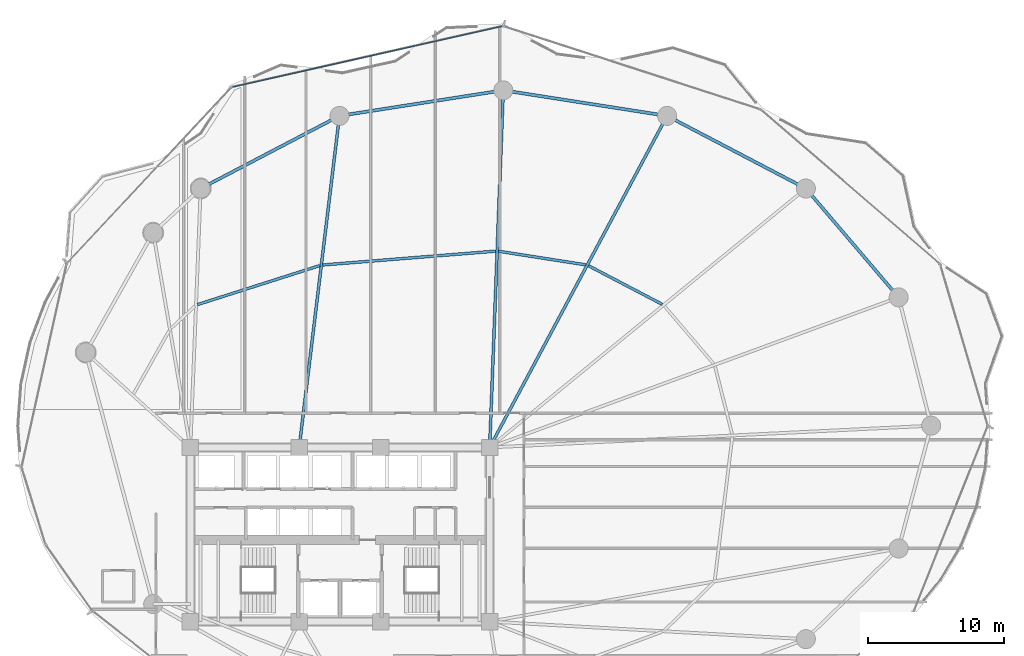
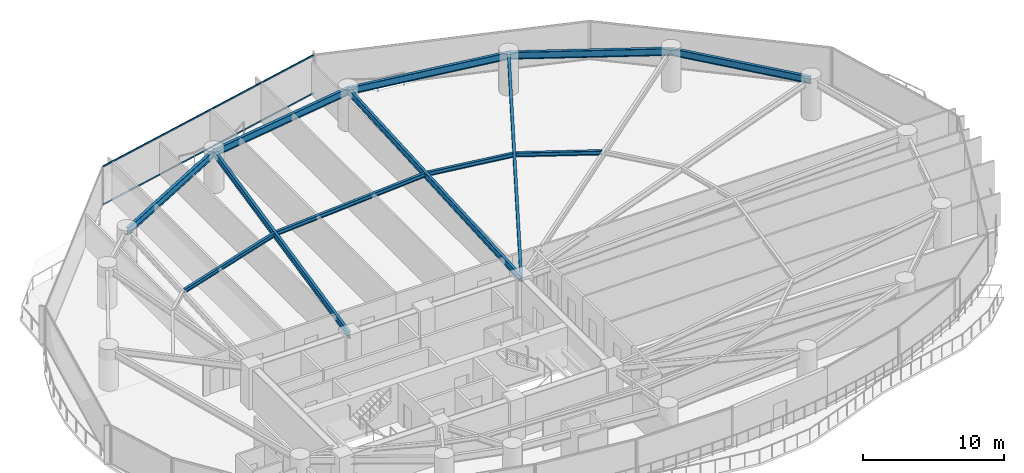
# One storey, part 18 of 33: 12 beams, 2 members, 1 element without a shape of its own.
"""IFC4 building model written with IfcOpenShell, lengths in metres."""

import ifcopenshell
import ifcopenshell.guid

model = None  # the IFC model being written
_history = None  # IfcOwnerHistory: only IFC2X3 demands one
_inside = {}  # id of a spatial element -> (the spatial element, [elements in it])
_under = {}  # id of a project, library or spatial element -> (it, [spatial elements below it])
_declared = {}  # id of a project -> (the project, [libraries it declares])
_typed = {}  # id of a type object -> (the type object, [elements of that type])
_made_of = {}  # id of a material, layer set ... -> (it, [elements and type objects made of it])


def new_model(schema):
    """Start an empty IFC model of exactly this schema.

    Asked for "IFC4X3", IfcOpenShell would pick the latest addendum, in which some entities
    have other attributes; the version numbers below select the first issue.
    IFC2X3 requires an IfcOwnerHistory on every rooted entity: one is made here for all.
    """
    global model, _history
    if schema == "IFC4X3":
        model = ifcopenshell.file(schema_version=(4, 3, 0, 0))
    else:
        model = ifcopenshell.file(schema=schema)
    _inside.clear()
    _under.clear()
    _declared.clear()
    _typed.clear()
    _made_of.clear()
    _history = None
    if model.schema == "IFC2X3":
        org = make("IfcOrganization", Name="unknown")
        user = make(
            "IfcPersonAndOrganization",
            ThePerson=make("IfcPerson", FamilyName="unknown"),
            TheOrganization=org,
        )
        app = make(
            "IfcApplication",
            ApplicationDeveloper=org,
            Version="unknown",
            ApplicationFullName="unknown",
            ApplicationIdentifier="unknown",
        )
        _history = make(
            "IfcOwnerHistory",
            OwningUser=user,
            OwningApplication=app,
            ChangeAction="ADDED",
            CreationDate=0,
        )
    return model


def make(cls, **values):
    """One entity of the class cls with the attributes given. An attribute that is None is left unset."""
    return model.create_entity(
        cls, **{name: value for name, value in values.items() if value is not None}
    )


def rooted(cls, **values):
    """An entity with a GlobalId (a new one), such as an element, a storey or a relation."""
    return make(cls, GlobalId=ifcopenshell.guid.new(), OwnerHistory=_history, **values)


def si_unit(unit_type, name, prefix=None):
    """IfcSIUnit, for example si_unit("LENGTHUNIT", "METRE", prefix="MILLI")."""
    return make("IfcSIUnit", UnitType=unit_type, Prefix=prefix, Name=name)


def assignment(units):
    """IfcUnitAssignment: the units of a project."""
    return None if units is None else make("IfcUnitAssignment", Units=units)


def point(xyz):
    """IfcCartesianPoint."""
    return None if xyz is None else make("IfcCartesianPoint", Coordinates=xyz)


def direction(xyz):
    """IfcDirection."""
    return None if xyz is None else make("IfcDirection", DirectionRatios=xyz)


def frame(location, z_axis=None, x_axis=None):
    """IfcAxis2Placement3D, a coordinate frame: its origin and axes. An axis left out is left unset."""
    return make(
        "IfcAxis2Placement3D",
        Location=point(location),
        Axis=direction(z_axis),
        RefDirection=direction(x_axis),
    )


def frame_2d(location, x_axis=None):
    """IfcAxis2Placement2D, a coordinate frame in the plane: its origin and x axis."""
    return make(
        "IfcAxis2Placement2D", Location=point(location), RefDirection=direction(x_axis)
    )


def origin():
    """The frame at (0, 0, 0) with its axes left unset."""
    return frame((0.0, 0.0, 0.0))


def origin_2d():
    """The frame at (0, 0) in the plane with its x axis left unset."""
    return frame_2d((0.0, 0.0))


def place(relative_to, where):
    """IfcLocalPlacement: puts the frame where relative to a parent placement (None: the world)."""
    return make(
        "IfcLocalPlacement", PlacementRelTo=relative_to, RelativePlacement=where
    )


def context(
    kind, dimensions, precision=None, world=None, true_north=None, identifier=None
):
    """IfcGeometricRepresentationContext, for example the 3D "Model" context."""
    return make(
        "IfcGeometricRepresentationContext",
        ContextIdentifier=identifier,
        ContextType=kind,
        CoordinateSpaceDimension=dimensions,
        Precision=precision,
        WorldCoordinateSystem=world,
        TrueNorth=true_north,
    )


def subcontext(parent, identifier, kind, view, scale=None):
    """IfcGeometricRepresentationSubContext, for example "Body" below "Model"."""
    return make(
        "IfcGeometricRepresentationSubContext",
        ContextIdentifier=identifier,
        ContextType=kind,
        ParentContext=parent,
        TargetScale=scale,
        TargetView=view,
    )


def project(units=None, contexts=None):
    """IfcProject with its units and contexts."""
    return rooted(
        "IfcProject",
        Name="project",
        RepresentationContexts=contexts,
        UnitsInContext=assignment(units),
    )


def spatial(cls, under=None, at=None, **own):
    """A site, building, storey or space (cls), placed at a placement, below another one or the project."""
    s = rooted(cls, ObjectPlacement=at, **own)
    if under is not None:
        _under.setdefault(under.id(), (under, []))[1].append(s)
    return s


def profile(cls, at=None, kind="AREA", **sizes):
    """A parametric profile (cls). Its sizes go by their IFC names, for example OverallWidth=200.0."""
    return make(cls, ProfileType=kind, Position=at, **sizes)


def hollow_rectangle(**sizes):
    """IfcRectangleHollowProfileDef."""
    return profile("IfcRectangleHollowProfileDef", **sizes)


def i_section(**sizes):
    """IfcIShapeProfileDef."""
    return profile("IfcIShapeProfileDef", **sizes)


def extrude(swept, where, along, depth):
    """IfcExtrudedAreaSolid: the profile swept, set in the frame where, extruded along a direction by depth."""
    return make(
        "IfcExtrudedAreaSolid",
        SweptArea=swept,
        Position=where,
        ExtrudedDirection=direction(along),
        Depth=depth,
    )


def shape(context_of_items, identifier, shape_type, items):
    """IfcShapeRepresentation: the items that make up one representation, for example the "Body"."""
    return make(
        "IfcShapeRepresentation",
        ContextOfItems=context_of_items,
        RepresentationIdentifier=identifier,
        RepresentationType=shape_type,
        Items=items,
    )


def material(Name=None, Category=None):
    """IfcMaterial."""
    return make("IfcMaterial", Name=Name, Category=Category)


def layer(
    of_material, thickness, ventilated=None, Name=None, Category=None, Priority=None
):
    """IfcMaterialLayer: one layer of a wall or slab, of a material (None: an air gap)."""
    return make(
        "IfcMaterialLayer",
        Material=of_material,
        LayerThickness=thickness,
        IsVentilated=ventilated,
        Name=Name,
        Category=Category,
        Priority=Priority,
    )


def layer_set(layers, Name=None):
    """IfcMaterialLayerSet."""
    return make("IfcMaterialLayerSet", MaterialLayers=layers, LayerSetName=Name)


def material_profile(
    of_material, cross_section, Name=None, Category=None, Priority=None
):
    """IfcMaterialProfile: a cross section and its material."""
    return make(
        "IfcMaterialProfile",
        Name=Name,
        Material=of_material,
        Profile=cross_section,
        Priority=Priority,
        Category=Category,
    )


def profile_set(profiles, Name=None, composite=None):
    """IfcMaterialProfileSet."""
    return make(
        "IfcMaterialProfileSet",
        Name=Name,
        MaterialProfiles=profiles,
        CompositeProfile=composite,
    )


def made_of(thing, what):
    """Note that an element or type object is made of a material, layer set ...; save() writes the relation."""
    if what is not None:
        _made_of.setdefault(what.id(), (what, []))[1].append(thing)
    return thing


def type_object(cls, material=None, **own):
    """A type object (cls), such as IfcWallType, which elements share."""
    return made_of(rooted(cls, **own), material)


def element(
    cls,
    number,
    at=None,
    inside=None,
    cuts=None,
    type_object=None,
    material=None,
    context=None,
    identifier="Body",
    shape_type=None,
    held_by="IfcProductDefinitionShape",
    body=None,
    shapes=None,
    **own,
):
    """One element of the class cls, such as IfcWall. Its Tag is "e" and its number.

    at: its placement. inside: the storey or other place that contains it. cuts: it is an
    opening in that element (IfcRelVoidsElement). A single representation is given by context,
    identifier, shape_type and body (its items); several are given by shapes. held_by: the class
    of the entity that holds the representations. save() writes the other relations.
    """
    e = rooted(cls, Tag="e%d" % number, ObjectPlacement=at, **own)
    if body is not None:
        shapes = [shape(context, identifier, shape_type, body)]
    if shapes is not None:
        e.Representation = make(held_by, Representations=shapes)
    if inside is not None:
        _inside.setdefault(inside.id(), (inside, []))[1].append(e)
    if cuts is not None:
        rooted(
            "IfcRelVoidsElement", RelatingBuildingElement=cuts, RelatedOpeningElement=e
        )
    if type_object is not None:
        _typed.setdefault(type_object.id(), (type_object, []))[1].append(e)
    return made_of(e, material)


def aggregate(whole, parts):
    """IfcRelAggregates: a whole, such as a stair, and the parts it consists of."""
    return rooted("IfcRelAggregates", RelatingObject=whole, RelatedObjects=parts)


def save(model, path):
    """Write the relations noted so far, then the file.

    IfcRelAggregates (storeys below a building ...), IfcRelContainedInSpatialStructure (elements
    in a storey), IfcRelDefinesByType, IfcRelAssociatesMaterial and IfcRelDeclares: one each for
    every whole, place, type object, material and project.
    """
    for whole, parts in _under.values():
        aggregate(whole, parts)
    for where, things in _inside.values():
        rooted(
            "IfcRelContainedInSpatialStructure",
            RelatedElements=things,
            RelatingStructure=where,
        )
    for kind, things in _typed.values():
        rooted("IfcRelDefinesByType", RelatedObjects=things, RelatingType=kind)
    for what, things in _made_of.values():
        rooted("IfcRelAssociatesMaterial", RelatedObjects=things, RelatingMaterial=what)
    for by, libraries in _declared.values():
        rooted("IfcRelDeclares", RelatingContext=by, RelatedDefinitions=libraries)
    model.write(path)


model = new_model("IFC4")

# Units and contexts
model_context = context("Model", 3, precision=1e-05, world=origin(), true_north=direction((0.0, 1.0)))
body_context = subcontext(model_context, "Body", "Model", "MODEL_VIEW")
ifc_project = project(units=[si_unit("LENGTHUNIT", "METRE"), si_unit("AREAUNIT", "SQUARE_METRE"), si_unit("VOLUMEUNIT", "CUBIC_METRE"), si_unit("PLANEANGLEUNIT", "RADIAN"), si_unit("MASSUNIT", "GRAM", prefix="KILO")], contexts=[model_context])

# Site, building, storey
site_placement = place(None, origin())
site = spatial("IfcSite", under=ifc_project, at=site_placement, CompositionType="ELEMENT")
building_placement = place(site_placement, origin())
building = spatial("IfcBuilding", under=site, at=building_placement, Name="Kazevale Care Tower and Concert Hall", CompositionType="ELEMENT")
storey_placement = place(building_placement, frame((0.0, 0.0, 49.199951171875)))
storey = spatial("IfcBuildingStorey", under=building, at=storey_placement, Name="L12", CompositionType="ELEMENT", Elevation=49.199951171875)

# Curtain wall, members
ifc_material_1 = material(Name="Aluminium 6063-T6 and Low-E Glass", Category="aluminium")
ifc_layer = layer(ifc_material_1, 0.179931640625)
ifc_layer_set = layer_set([ifc_layer], Name="Aluminium 6063-T6 and Low-E Glass")
curtain_wall_type = type_object("IfcCurtainWallType", Name="Convex Recessed Sunroom Curtain Wall CW-3", PredefinedType="NOTDEFINED", material=ifc_layer_set)
curtain_wall_placement = place(storey_placement, origin())
curtain_wall = element("IfcCurtainWall", 1, at=curtain_wall_placement, inside=storey, type_object=curtain_wall_type, Name="cw:L12:f15", PredefinedType="NOTDEFINED")
ifc_material_2 = material(Name="Aluminium 6063-T6", Category="aluminium")
ifc_material_profile_1 = material_profile(ifc_material_2, hollow_rectangle(XDim=0.074951171875, YDim=0.1201171875, WallThickness=0.00390625, at=origin_2d()), Name="ALU75x120x4")
ifc_profile_set_1 = profile_set([ifc_material_profile_1], Name="Aluminium 6063-T6")
member_type = type_object("IfcMemberType", Name="CW-3 Transom ALU75x120x4", PredefinedType="USERDEFINED", material=ifc_profile_set_1)
member_1_placement = place(storey_placement, frame((25.110107421875, 62.8935546875, 0.03759765625), z_axis=(0.975519983898, 0.219910802409, 0.0), x_axis=(-0.219910802409, 0.975519983898, 0.0)))
member_1 = element("IfcMember", 2, at=member_1_placement, type_object=member_type, Name="CW-3 transom 1.1", ObjectType="TRANSOM", PredefinedType="USERDEFINED", context=body_context, shape_type="SweptSolid", body=[
    extrude(hollow_rectangle(XDim=0.074951171875, YDim=0.1201171875, WallThickness=0.00390625, at=origin_2d()), origin(), (0.0, 0.0, 1.0), 20.27197265625),
])
member_2_placement = place(storey_placement, frame((25.110107421875, 62.8935546875, 3.322509765625), z_axis=(0.975519983898, 0.219910802409, 0.0), x_axis=(-0.219910802409, 0.975519983898, 0.0)))
member_2 = element("IfcMember", 3, at=member_2_placement, type_object=member_type, Name="CW-3 transom 1.2", ObjectType="TRANSOM", PredefinedType="USERDEFINED", context=body_context, shape_type="SweptSolid", body=[
    extrude(hollow_rectangle(XDim=0.074951171875, YDim=0.1201171875, WallThickness=0.00390625, at=origin_2d()), origin(), (0.0, 0.0, 1.0), 20.27197265625),
])
aggregate(curtain_wall, [member_1, member_2])

# Beams
ifc_material_3 = material(Name="Steel ASTM A572 Gr 50", Category="steel")
ifc_material_profile_2 = material_profile(ifc_material_3, i_section(OverallWidth=0.2119140625, OverallDepth=0.5439453125, WebThickness=0.01318359375, FlangeThickness=0.021240234375, at=origin_2d()), Name="W530x123")
ifc_profile_set_2 = profile_set([ifc_material_profile_2], Name="Steel ASTM A572 Gr 50")
beam_type_1 = type_object("IfcBeamType", Name="Radial Floor Girder W530x123", PredefinedType="BEAM", material=ifc_profile_set_2)
beam_1_placement = place(storey_placement, frame((44.0, 36.39990234375, 3.088134765625), z_axis=(0.471788966953, 0.88171150081, 0.0), x_axis=(-0.88171150081, 0.471788966953, 0.0)))
element("IfcBeam", 4, at=beam_1_placement, inside=storey, type_object=beam_type_1, Name="beam:L12:rad:04", PredefinedType="BEAM", context=body_context, shape_type="SweptSolid", body=[
    extrude(i_section(OverallWidth=0.2119140625, OverallDepth=0.5439453125, WebThickness=0.01318359375, FlangeThickness=0.021240234375, at=origin_2d()), origin(), (0.0, 0.0, 1.0), 27.6396484375),
])
beam_2_placement = place(storey_placement, frame((44.0, 36.39990234375, 3.088134765625), z_axis=(0.038067625343, 0.999275165258, 0.0), x_axis=(-0.999275165258, 0.038067625343, 0.0)))
element("IfcBeam", 5, at=beam_2_placement, inside=storey, type_object=beam_type_1, Name="beam:L12:rad:05", PredefinedType="BEAM", context=body_context, shape_type="SweptSolid", body=[
    extrude(i_section(OverallWidth=0.2119140625, OverallDepth=0.5439453125, WebThickness=0.01318359375, FlangeThickness=0.021240234375, at=origin_2d()), origin(), (0.0, 0.0, 1.0), 26.26904296875),
])
beam_3_placement = place(storey_placement, frame((30.0, 36.39990234375, 3.088134765625), z_axis=(0.120572526662, 0.9927045209, 0.0), x_axis=(-0.9927045209, 0.120572526662, 0.0)))
element("IfcBeam", 6, at=beam_3_placement, inside=storey, type_object=beam_type_1, Name="beam:L12:rad:06", PredefinedType="BEAM", context=body_context, shape_type="SweptSolid", body=[
    extrude(i_section(OverallWidth=0.2119140625, OverallDepth=0.5439453125, WebThickness=0.01318359375, FlangeThickness=0.021240234375, at=origin_2d()), origin(), (0.0, 0.0, 1.0), 24.54931640625),
])
ifc_material_profile_3 = material_profile(ifc_material_3, i_section(OverallWidth=0.22900390625, OverallDepth=0.612060546875, WebThickness=0.011962890625, FlangeThickness=0.01953125, at=origin_2d()), Name="W610x125")
ifc_profile_set_3 = profile_set([ifc_material_profile_3], Name="Steel ASTM A572 Gr 50")
beam_type_2 = type_object("IfcBeamType", Name="Ring Spandrel Beam W610x125", PredefinedType="SPANDREL", material=ifc_profile_set_3)
beam_4_placement = place(storey_placement, frame((74.06005859375, 47.429931640625, 3.053955078125), z_axis=(-0.648756004283, 0.760996482848, 0.0), x_axis=(-0.760996482848, -0.648756004283, 0.0)))
element("IfcBeam", 7, at=beam_4_placement, inside=storey, type_object=beam_type_2, Name="beam:L12:ring:02", PredefinedType="SPANDREL", context=body_context, shape_type="SweptSolid", body=[
    extrude(i_section(OverallWidth=0.22900390625, OverallDepth=0.612060546875, WebThickness=0.011962890625, FlangeThickness=0.01953125, at=origin_2d()), origin(), (0.0, 0.0, 1.0), 10.512451171875),
])
beam_5_placement = place(storey_placement, frame((67.239990234375, 55.429931640625, 3.053955078125), z_axis=(-0.885929466679, 0.463819986708, 0.0), x_axis=(-0.463819986708, -0.885929466679, 0.0)))
element("IfcBeam", 8, at=beam_5_placement, inside=storey, type_object=beam_type_2, Name="beam:L12:ring:03", PredefinedType="SPANDREL", context=body_context, shape_type="SweptSolid", body=[
    extrude(i_section(OverallWidth=0.22900390625, OverallDepth=0.612060546875, WebThickness=0.011962890625, FlangeThickness=0.01953125, at=origin_2d()), origin(), (0.0, 0.0, 1.0), 11.51318359375),
])
for number, where, z_axis, x_axis, name in (
    (9, (57.0400390625, 60.77001953125, 3.053955078125), (-0.988029216561, 0.154266870134, 0.0), (-0.154266870134, -0.988029216561, 0.0), "beam:L12:ring:04"),
    (10, (45.0, 62.64990234375, 3.053955078125), (-0.988029216561, -0.154266870134, 0.0), (0.154266870134, -0.988029216561, 0.0), "beam:L12:ring:05"),
):
    element("IfcBeam", number, at=place(storey_placement, frame(where, z_axis=z_axis, x_axis=x_axis)), inside=storey, type_object=beam_type_2, Name=name, PredefinedType="SPANDREL", context=body_context, shape_type="SweptSolid", body=[
        extrude(i_section(OverallWidth=0.22900390625, OverallDepth=0.612060546875, WebThickness=0.011962890625, FlangeThickness=0.01953125, at=origin_2d()), origin(), (0.0, 0.0, 1.0), 12.18603515625),
    ])
beam_6_placement = place(storey_placement, frame((32.9599609375, 60.77001953125, 3.053955078125), z_axis=(-0.885929466679, -0.463819986708, 0.0), x_axis=(0.463819986708, -0.885929466679, 0.0)))
element("IfcBeam", 11, at=beam_6_placement, inside=storey, type_object=beam_type_2, Name="beam:L12:ring:06", PredefinedType="SPANDREL", context=body_context, shape_type="SweptSolid", body=[
    extrude(i_section(OverallWidth=0.22900390625, OverallDepth=0.612060546875, WebThickness=0.011962890625, FlangeThickness=0.01953125, at=origin_2d()), origin(), (0.0, 0.0, 1.0), 11.51318359375),
])
ifc_material_profile_4 = material_profile(ifc_material_3, i_section(OverallWidth=0.205078125, OverallDepth=0.35400390625, WebThickness=0.009521484375, FlangeThickness=0.016845703125, at=origin_2d()), Name="W360x79")
ifc_profile_set_4 = profile_set([ifc_material_profile_4], Name="Steel ASTM A572 Gr 50")
beam_type_3 = type_object("IfcBeamType", Name="Secondary Floor Joist W360x79", PredefinedType="JOIST", material=ifc_profile_set_4)
beam_7_placement = place(storey_placement, frame((56.68896484375, 46.9150390625, 3.18310546875), z_axis=(-0.885921274797, 0.463835633454, 0.0), x_axis=(-0.463835633454, -0.885921274797, 0.0)))
element("IfcBeam", 12, at=beam_7_placement, inside=storey, type_object=beam_type_3, Name="beam:L12:joist:03", PredefinedType="JOIST", context=body_context, shape_type="SweptSolid", body=[
    extrude(i_section(OverallWidth=0.205078125, OverallDepth=0.35400390625, WebThickness=0.009521484375, FlangeThickness=0.016845703125, at=origin_2d()), origin(), (0.0, 0.0, 1.0), 6.12255859375),
])
beam_8_placement = place(storey_placement, frame((51.068115234375, 49.820068359375, 3.18310546875), z_axis=(-0.988040697826, 0.154193318403, 0.0), x_axis=(-0.154193318403, -0.988040697826, 0.0)))
element("IfcBeam", 13, at=beam_8_placement, inside=storey, type_object=beam_type_3, Name="beam:L12:joist:04", PredefinedType="JOIST", context=body_context, shape_type="SweptSolid", body=[
    extrude(i_section(OverallWidth=0.205078125, OverallDepth=0.35400390625, WebThickness=0.009521484375, FlangeThickness=0.016845703125, at=origin_2d()), origin(), (0.0, 0.0, 1.0), 6.49169921875),
])
beam_9_placement = place(storey_placement, frame((44.445068359375, 50.8291015625, 3.18310546875), z_axis=(-0.996814548036, -0.079754353015, 0.0), x_axis=(0.079754353015, -0.996814548036, 0.0)))
element("IfcBeam", 14, at=beam_9_placement, inside=storey, type_object=beam_type_3, Name="beam:L12:joist:05", PredefinedType="JOIST", context=body_context, shape_type="SweptSolid", body=[
    extrude(i_section(OverallWidth=0.205078125, OverallDepth=0.35400390625, WebThickness=0.009521484375, FlangeThickness=0.016845703125, at=origin_2d()), origin(), (0.0, 0.0, 1.0), 12.752685546875),
])
beam_10_placement = place(storey_placement, frame((31.528076171875, 49.77197265625, 3.18310546875), z_axis=(-0.9527054955, -0.303895111584, 0.0), x_axis=(0.303895111584, -0.9527054955, 0.0)))
element("IfcBeam", 15, at=beam_10_placement, inside=storey, type_object=beam_type_3, Name="beam:L12:joist:06", PredefinedType="JOIST", context=body_context, shape_type="SweptSolid", body=[
    extrude(i_section(OverallWidth=0.205078125, OverallDepth=0.35400390625, WebThickness=0.009521484375, FlangeThickness=0.016845703125, at=origin_2d()), origin(), (0.0, 0.0, 1.0), 9.457275390625),
])

save(model, "model.ifc")
